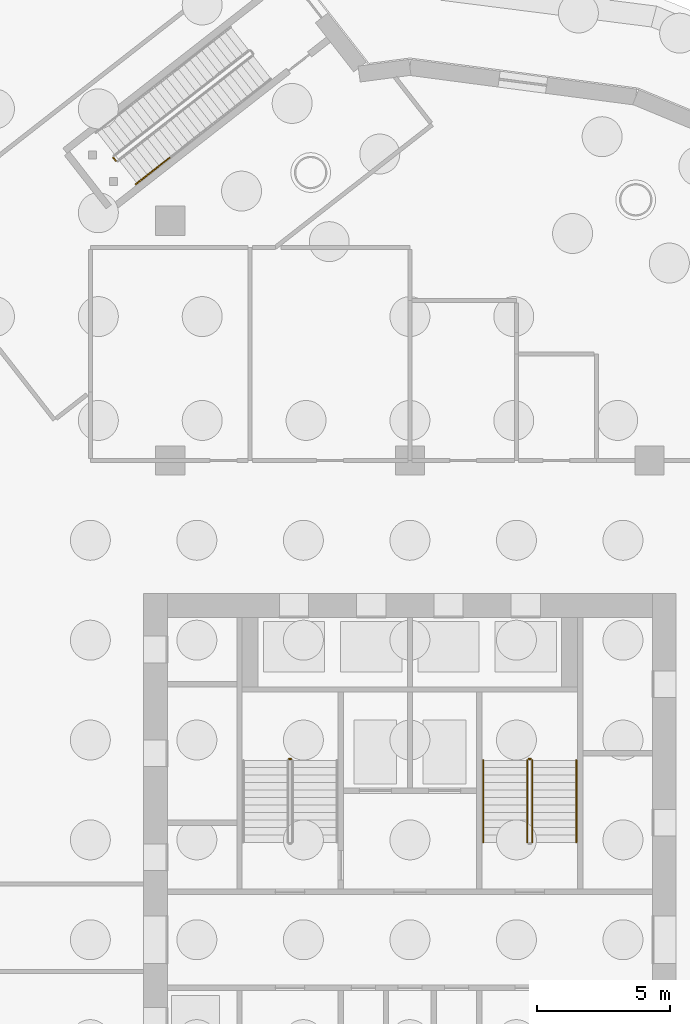
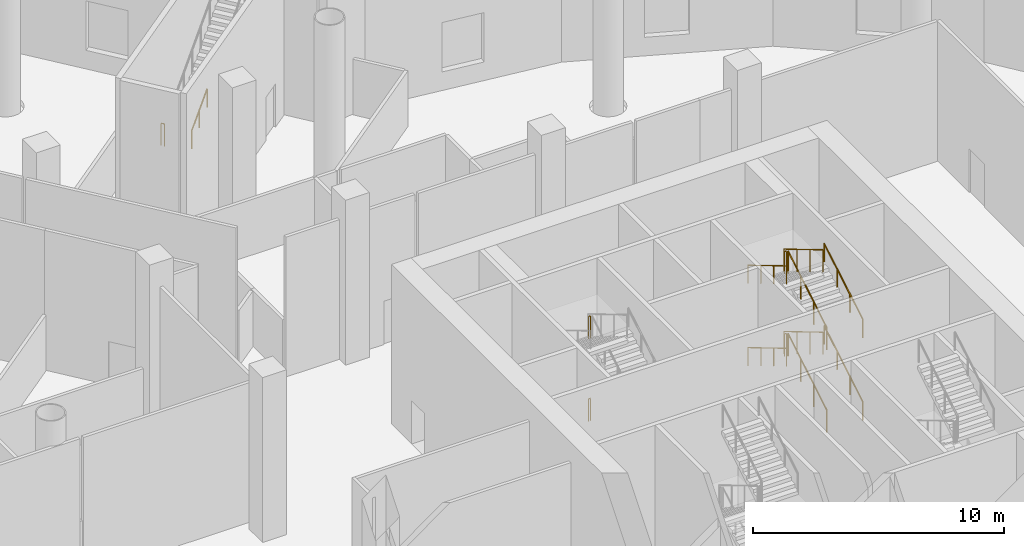
# One storey, part 31 of 34: 14 railings.
"""IFC4 building model written with IfcOpenShell, lengths in metres."""

from ifc_helpers import new_model, si_unit, direction, frame, origin, origin_2d, place, context, subcontext, project, spatial, circle, extrude, material, type_object, element, save


model = new_model("IFC4")

# Units and contexts
model_context = context("Model", 3, precision=1e-05, world=origin(), true_north=direction((0.0, 1.0)))
body_context = subcontext(model_context, "Body", "Model", "MODEL_VIEW")
ifc_project = project(units=[si_unit("LENGTHUNIT", "METRE"), si_unit("AREAUNIT", "SQUARE_METRE"), si_unit("VOLUMEUNIT", "CUBIC_METRE"), si_unit("PLANEANGLEUNIT", "RADIAN"), si_unit("MASSUNIT", "GRAM", prefix="KILO")], contexts=[model_context])

# Site, building, storey
site_placement = place(None, origin())
site = spatial("IfcSite", under=ifc_project, at=site_placement, CompositionType="ELEMENT")
building_placement = place(site_placement, origin())
building = spatial("IfcBuilding", under=site, at=building_placement, Name="Tarsis Ring Headquarters", CompositionType="ELEMENT")
storey_placement = place(building_placement, origin())
storey = spatial("IfcBuildingStorey", under=building, at=storey_placement, Name="L00", CompositionType="ELEMENT", Elevation=0.0)

# Railings
ifc_material_1 = material(Name="Steel S355", Category="steel")
railing_type_1 = type_object("IfcRailingType", Name="Core stair guard 1100", PredefinedType="GUARDRAIL", material=ifc_material_1)
for number, where, name in (
    (1, (-4.4599609375, 6.7900390625, 2.0), "L00 ST1 stair guard 2"),
    (2, (-4.4599609375, 6.7900390625, 6.0), "L00 ST1 stair guard 6"),
):
    element("IfcRailing", number, at=place(storey_placement, frame(where)), inside=storey, type_object=railing_type_1, Name=name, PredefinedType="GUARDRAIL", context=body_context, shape_type="SweptSolid", body=[
        extrude(circle(Radius=0.02392578125, at=origin_2d()), frame((0.0, 0.0, 1.076171875), z_axis=(-1.0, 0.0, 0.0), x_axis=(0.0, -1.0, 0.0)), (0.0, 0.0, 1.0), 0.080078125),
        extrude(circle(Radius=0.02099609375, at=origin_2d()), origin(), (0.0, 0.0, 1.0), 1.052001953125),
        extrude(circle(Radius=0.02099609375, at=origin_2d()), frame((-0.080078125, 0.0, 0.0)), (0.0, 0.0, 1.0), 1.052001953125),
    ])
railing_1_placement = place(storey_placement, frame((4.590087890625, 3.659912109375, 0.166748046875)))
element("IfcRailing", 3, at=railing_1_placement, inside=storey, type_object=railing_type_1, Name="L00 ST2 stair guard 1", PredefinedType="GUARDRAIL", context=body_context, shape_type="SweptSolid", body=[
    extrude(circle(Radius=0.02392578125, at=origin_2d()), frame((0.0, 0.0, 1.076171875), z_axis=(0.0, 0.859308565015, 0.511457515432), x_axis=(-1.0, 0.0, 0.0)), (0.0, 0.0, 1.0), 3.58447265625),
    extrude(circle(Radius=0.02099609375, at=origin_2d()), origin(), (0.0, 0.0, 1.0), 1.052001953125),
    extrude(circle(Radius=0.02099609375, at=origin_2d()), frame((0.0, 1.026611328125, 0.611083984375)), (0.0, 0.0, 1.0), 1.052001953125),
    extrude(circle(Radius=0.02099609375, at=origin_2d()), frame((0.0, 2.053466796875, 1.22216796875)), (0.0, 0.0, 1.0), 1.052001953125),
    extrude(circle(Radius=0.02099609375, at=origin_2d()), frame((0.0, 3.080078125, 1.833251953125)), (0.0, 0.0, 1.0), 1.052001953125),
])
railing_2_placement = place(storey_placement, frame((4.5400390625, 6.7900390625, 2.0)))
element("IfcRailing", 4, at=railing_2_placement, inside=storey, type_object=railing_type_1, Name="L00 ST2 stair guard 2", PredefinedType="GUARDRAIL", context=body_context, shape_type="SweptSolid", body=[
    extrude(circle(Radius=0.02392578125, at=origin_2d()), frame((0.0, 0.0, 1.076171875), z_axis=(-1.0, 0.0, 0.0), x_axis=(0.0, -1.0, 0.0)), (0.0, 0.0, 1.0), 0.080078125),
    extrude(circle(Radius=0.02099609375, at=origin_2d()), origin(), (0.0, 0.0, 1.0), 1.052001953125),
    extrude(circle(Radius=0.02099609375, at=origin_2d()), frame((-0.080078125, 0.0, 0.0)), (0.0, 0.0, 1.0), 1.052001953125),
])
railing_3_placement = place(storey_placement, frame((4.409912109375, 6.739990234375, 2.166748046875)))
element("IfcRailing", 5, at=railing_3_placement, inside=storey, type_object=railing_type_1, Name="L00 ST2 stair guard 3", PredefinedType="GUARDRAIL", context=body_context, shape_type="SweptSolid", body=[
    extrude(circle(Radius=0.02392578125, at=origin_2d()), frame((0.0, 0.0, 1.076171875), z_axis=(0.0, -0.859308565015, 0.511457515432), x_axis=(1.0, 0.0, 0.0)), (0.0, 0.0, 1.0), 3.58447265625),
    extrude(circle(Radius=0.02099609375, at=origin_2d()), origin(), (0.0, 0.0, 1.0), 1.052001953125),
    extrude(circle(Radius=0.02099609375, at=origin_2d()), frame((0.0, -1.026611328125, 0.611083984375)), (0.0, 0.0, 1.0), 1.052001953125),
    extrude(circle(Radius=0.02099609375, at=origin_2d()), frame((0.0, -2.053466796875, 1.22216796875)), (0.0, 0.0, 1.0), 1.052001953125),
    extrude(circle(Radius=0.02099609375, at=origin_2d()), frame((0.0, -3.080078125, 1.833251953125)), (0.0, 0.0, 1.0), 1.052001953125),
])
railing_4_placement = place(storey_placement, frame((4.590087890625, 3.659912109375, 4.166748046875)))
element("IfcRailing", 6, at=railing_4_placement, inside=storey, type_object=railing_type_1, Name="L00 ST2 stair guard 5", PredefinedType="GUARDRAIL", context=body_context, shape_type="SweptSolid", body=[
    extrude(circle(Radius=0.02392578125, at=origin_2d()), frame((0.0, 0.0, 1.076171875), z_axis=(0.0, 0.859308565015, 0.511457515432), x_axis=(-1.0, 0.0, 0.0)), (0.0, 0.0, 1.0), 3.58447265625),
    extrude(circle(Radius=0.02099609375, at=origin_2d()), origin(), (0.0, 0.0, 1.0), 1.052001953125),
    extrude(circle(Radius=0.02099609375, at=origin_2d()), frame((0.0, 1.026611328125, 0.611083984375)), (0.0, 0.0, 1.0), 1.052001953125),
    extrude(circle(Radius=0.02099609375, at=origin_2d()), frame((0.0, 2.053466796875, 1.22216796875)), (0.0, 0.0, 1.0), 1.052001953125),
    extrude(circle(Radius=0.02099609375, at=origin_2d()), frame((0.0, 3.080078125, 1.833251953125)), (0.0, 0.0, 1.0), 1.052001953125),
])
railing_5_placement = place(storey_placement, frame((4.5400390625, 6.7900390625, 6.0)))
element("IfcRailing", 7, at=railing_5_placement, inside=storey, type_object=railing_type_1, Name="L00 ST2 stair guard 6", PredefinedType="GUARDRAIL", context=body_context, shape_type="SweptSolid", body=[
    extrude(circle(Radius=0.02392578125, at=origin_2d()), frame((0.0, 0.0, 1.076171875), z_axis=(-1.0, 0.0, 0.0), x_axis=(0.0, -1.0, 0.0)), (0.0, 0.0, 1.0), 0.080078125),
    extrude(circle(Radius=0.02099609375, at=origin_2d()), origin(), (0.0, 0.0, 1.0), 1.052001953125),
    extrude(circle(Radius=0.02099609375, at=origin_2d()), frame((-0.080078125, 0.0, 0.0)), (0.0, 0.0, 1.0), 1.052001953125),
])
railing_6_placement = place(storey_placement, frame((4.409912109375, 6.739990234375, 6.166748046875)))
element("IfcRailing", 8, at=railing_6_placement, inside=storey, type_object=railing_type_1, Name="L00 ST2 stair guard 7", PredefinedType="GUARDRAIL", context=body_context, shape_type="SweptSolid", body=[
    extrude(circle(Radius=0.02392578125, at=origin_2d()), frame((0.0, 0.0, 1.076171875), z_axis=(0.0, -0.859308565015, 0.511457515432), x_axis=(1.0, 0.0, 0.0)), (0.0, 0.0, 1.0), 3.58447265625),
    extrude(circle(Radius=0.02099609375, at=origin_2d()), origin(), (0.0, 0.0, 1.0), 1.052001953125),
    extrude(circle(Radius=0.02099609375, at=origin_2d()), frame((0.0, -1.026611328125, 0.611083984375)), (0.0, 0.0, 1.0), 1.052001953125),
    extrude(circle(Radius=0.02099609375, at=origin_2d()), frame((0.0, -2.053466796875, 1.22216796875)), (0.0, 0.0, 1.0), 1.052001953125),
    extrude(circle(Radius=0.02099609375, at=origin_2d()), frame((0.0, -3.080078125, 1.833251953125)), (0.0, 0.0, 1.0), 1.052001953125),
])
railing_type_2 = type_object("IfcRailingType", Name="Core stair handrail 900", PredefinedType="HANDRAIL", material=ifc_material_1)
railing_7_placement = place(storey_placement, frame((6.25, 3.659912109375, 0.166748046875)))
element("IfcRailing", 9, at=railing_7_placement, inside=storey, type_object=railing_type_2, Name="L00 ST2 stair handrail 1", PredefinedType="HANDRAIL", context=body_context, shape_type="SweptSolid", body=[
    extrude(circle(Radius=0.02392578125, at=origin_2d()), frame((0.0, 0.0, 0.8759765625), z_axis=(0.0, 0.859308565015, 0.511457515432), x_axis=(-1.0, 0.0, 0.0)), (0.0, 0.0, 1.0), 3.58447265625),
    extrude(circle(Radius=0.02099609375, at=origin_2d()), origin(), (0.0, 0.0, 1.0), 0.851806640625),
    extrude(circle(Radius=0.02099609375, at=origin_2d()), frame((0.0, 1.026611328125, 0.611083984375)), (0.0, 0.0, 1.0), 0.851806640625),
    extrude(circle(Radius=0.02099609375, at=origin_2d()), frame((0.0, 2.053466796875, 1.22216796875)), (0.0, 0.0, 1.0), 0.851806640625),
    extrude(circle(Radius=0.02099609375, at=origin_2d()), frame((0.0, 3.080078125, 1.833251953125)), (0.0, 0.0, 1.0), 0.851806640625),
])
railing_8_placement = place(storey_placement, frame((2.75, 6.739990234375, 2.166748046875)))
element("IfcRailing", 10, at=railing_8_placement, inside=storey, type_object=railing_type_2, Name="L00 ST2 stair handrail 2", PredefinedType="HANDRAIL", context=body_context, shape_type="SweptSolid", body=[
    extrude(circle(Radius=0.02392578125, at=origin_2d()), frame((0.0, 0.0, 0.8759765625), z_axis=(0.0, -0.859308565015, 0.511457515432), x_axis=(1.0, 0.0, 0.0)), (0.0, 0.0, 1.0), 3.58447265625),
    extrude(circle(Radius=0.02099609375, at=origin_2d()), origin(), (0.0, 0.0, 1.0), 0.851806640625),
    extrude(circle(Radius=0.02099609375, at=origin_2d()), frame((0.0, -1.026611328125, 0.611083984375)), (0.0, 0.0, 1.0), 0.851806640625),
    extrude(circle(Radius=0.02099609375, at=origin_2d()), frame((0.0, -2.053466796875, 1.22216796875)), (0.0, 0.0, 1.0), 0.851806640625),
    extrude(circle(Radius=0.02099609375, at=origin_2d()), frame((0.0, -3.080078125, 1.833251953125)), (0.0, 0.0, 1.0), 0.851806640625),
])
railing_9_placement = place(storey_placement, frame((6.25, 3.659912109375, 4.166748046875)))
element("IfcRailing", 11, at=railing_9_placement, inside=storey, type_object=railing_type_2, Name="L00 ST2 stair handrail 3", PredefinedType="HANDRAIL", context=body_context, shape_type="SweptSolid", body=[
    extrude(circle(Radius=0.02392578125, at=origin_2d()), frame((0.0, 0.0, 0.8759765625), z_axis=(0.0, 0.859308565015, 0.511457515432), x_axis=(-1.0, 0.0, 0.0)), (0.0, 0.0, 1.0), 3.58447265625),
    extrude(circle(Radius=0.02099609375, at=origin_2d()), origin(), (0.0, 0.0, 1.0), 0.851806640625),
    extrude(circle(Radius=0.02099609375, at=origin_2d()), frame((0.0, 1.026611328125, 0.611083984375)), (0.0, 0.0, 1.0), 0.851806640625),
    extrude(circle(Radius=0.02099609375, at=origin_2d()), frame((0.0, 2.053466796875, 1.22216796875)), (0.0, 0.0, 1.0), 0.851806640625),
    extrude(circle(Radius=0.02099609375, at=origin_2d()), frame((0.0, 3.080078125, 1.833251953125)), (0.0, 0.0, 1.0), 0.851806640625),
])
railing_10_placement = place(storey_placement, frame((2.75, 6.739990234375, 6.166748046875)))
element("IfcRailing", 12, at=railing_10_placement, inside=storey, type_object=railing_type_2, Name="L00 ST2 stair handrail 4", PredefinedType="HANDRAIL", context=body_context, shape_type="SweptSolid", body=[
    extrude(circle(Radius=0.02392578125, at=origin_2d()), frame((0.0, 0.0, 0.8759765625), z_axis=(0.0, -0.859308565015, 0.511457515432), x_axis=(1.0, 0.0, 0.0)), (0.0, 0.0, 1.0), 3.58447265625),
    extrude(circle(Radius=0.02099609375, at=origin_2d()), origin(), (0.0, 0.0, 1.0), 0.851806640625),
    extrude(circle(Radius=0.02099609375, at=origin_2d()), frame((0.0, -1.026611328125, 0.611083984375)), (0.0, 0.0, 1.0), 0.851806640625),
    extrude(circle(Radius=0.02099609375, at=origin_2d()), frame((0.0, -2.053466796875, 1.22216796875)), (0.0, 0.0, 1.0), 0.851806640625),
    extrude(circle(Radius=0.02099609375, at=origin_2d()), frame((0.0, -3.080078125, 1.833251953125)), (0.0, 0.0, 1.0), 0.851806640625),
])
ifc_material_2 = material(Name="Stainless steel", Category="steel")
railing_type_3 = type_object("IfcRailingType", Name="PO-RL-G", PredefinedType="GUARDRAIL", material=ifc_material_2)
railing_11_placement = place(storey_placement, frame((-11.134521484375, 29.36669921875, 4.0)))
element("IfcRailing", 13, at=railing_11_placement, inside=storey, type_object=railing_type_3, Name="L00 PS3 stair guard 2", PredefinedType="GUARDRAIL", context=body_context, shape_type="SweptSolid", body=[
    extrude(circle(Radius=0.02392578125, at=origin_2d()), frame((0.0, 0.0, 1.076171875), z_axis=(0.615517636689, -0.788123111528, 0.0), x_axis=(0.788123111528, 0.615517636689, 0.0)), (0.0, 0.0, 1.0), 0.14990234375),
    extrude(circle(Radius=0.02099609375, at=origin_2d()), origin(), (0.0, 0.0, 1.0), 1.052001953125),
    extrude(circle(Radius=0.02099609375, at=origin_2d()), frame((0.09228515625, -0.1181640625, 0.0)), (0.0, 0.0, 1.0), 1.052001953125),
])
railing_type_4 = type_object("IfcRailingType", Name="PO-RL-H", PredefinedType="HANDRAIL", material=ifc_material_2)
railing_12_placement = place(storey_placement, frame((-10.295166015625, 28.37255859375, 4.166748046875)))
element("IfcRailing", 14, at=railing_12_placement, inside=storey, type_object=railing_type_4, Name="L00 PS3 stair handrail 2", PredefinedType="HANDRAIL", context=body_context, shape_type="SweptSolid", body=[
    extrude(circle(Radius=0.02392578125, at=origin_2d()), frame((0.0, 0.0, 0.8759765625), z_axis=(0.677341073658, 0.528789933995, 0.511458967701), x_axis=(-0.61536738657, 0.788240432575, 0.0)), (0.0, 0.0, 1.0), 1.87353515625),
    extrude(circle(Radius=0.02099609375, at=origin_2d()), origin(), (0.0, 0.0, 1.0), 0.851806640625),
    extrude(circle(Radius=0.02099609375, at=origin_2d()), frame((0.634521484375, 0.495361328125, 0.47900390625)), (0.0, 0.0, 1.0), 0.851806640625),
    extrude(circle(Radius=0.02099609375, at=origin_2d()), frame((1.26904296875, 0.99072265625, 0.958251953125)), (0.0, 0.0, 1.0), 0.851806640625),
])

save(model, "model.ifc")
